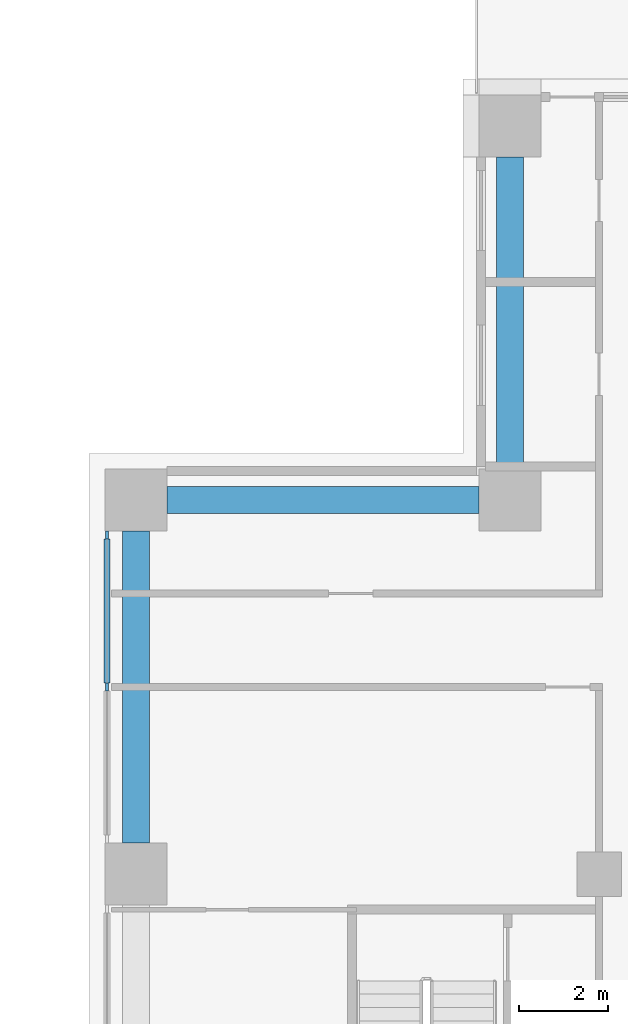
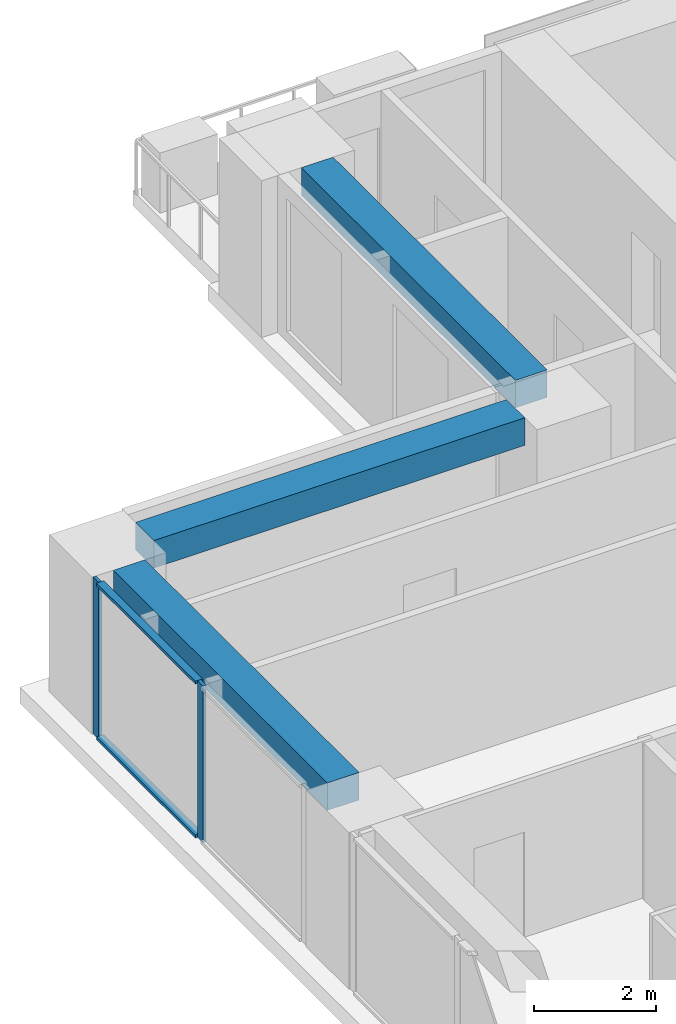
# One storey, part 5 of 17: 4 members, 3 beams, 1 element without a shape of its own.
"""IFC4 building model written with IfcOpenShell, lengths in metres."""

from ifc_helpers import new_model, si_unit, direction, frame, origin, origin_2d, place, context, subcontext, project, spatial, rectangle, extrude, material, material_profile, profile_set, type_object, element, aggregate, save


model = new_model("IFC4")

# Units and contexts
model_context = context("Model", 3, precision=1e-05, world=origin(), true_north=direction((0.0, 1.0)))
body_context = subcontext(model_context, "Body", "Model", "MODEL_VIEW")
ifc_project = project(units=[si_unit("LENGTHUNIT", "METRE"), si_unit("AREAUNIT", "SQUARE_METRE"), si_unit("VOLUMEUNIT", "CUBIC_METRE"), si_unit("PLANEANGLEUNIT", "RADIAN"), si_unit("MASSUNIT", "GRAM", prefix="KILO")], contexts=[model_context])

# Site, building, storey
site_placement = place(None, origin())
site = spatial("IfcSite", under=ifc_project, at=site_placement, CompositionType="ELEMENT")
building_placement = place(site_placement, origin())
building = spatial("IfcBuilding", under=site, at=building_placement, Name="Vermilion Ogive Tower", CompositionType="ELEMENT")
storey_placement = place(building_placement, frame((0.0, 0.0, 65.550048828125)))
storey = spatial("IfcBuildingStorey", under=building, at=storey_placement, Name="L15", CompositionType="ELEMENT", Elevation=65.550048828125)

# Curtain wall, members
ifc_material_1 = material(Name="Low-iron laminated glazing in aluminium frame", Category="aluminium")
curtain_wall_type = type_object("IfcCurtainWallType", Name="Curtain wall CW7", PredefinedType="NOTDEFINED", material=ifc_material_1)
curtain_wall_placement = place(storey_placement, origin())
curtain_wall = element("IfcCurtainWall", 1, at=curtain_wall_placement, inside=storey, type_object=curtain_wall_type, Name="Glazed skin W1", PredefinedType="NOTDEFINED")
ifc_material_2 = material(Name="Aluminium mullion", Category="aluminium")
ifc_material_profile_1 = material_profile(ifc_material_2, rectangle(XDim=0.06005859375, YDim=0.179931640625, at=origin_2d()), Name="AL 60x180")
ifc_profile_set_1 = profile_set([ifc_material_profile_1], Name="Aluminium mullion")
member_type_1 = type_object("IfcMemberType", Name="CW7 mullion 60x180", PredefinedType="MULLION", material=ifc_profile_set_1)
member_1_placement = place(storey_placement, frame((-25.85009765625, 11.81005859375, 0.0), z_axis=(0.0, 0.0, 1.0), x_axis=(1.0, 0.0, 0.0)))
member_1 = element("IfcMember", 2, at=member_1_placement, type_object=member_type_1, Name="CW7-W1 mullion 1", PredefinedType="MULLION", context=body_context, shape_type="SweptSolid", body=[
    extrude(rectangle(XDim=0.06005859375, YDim=0.179931640625, at=origin_2d()), origin(), (0.0, 0.0, 1.0), 3.1298828125),
])
member_2_placement = place(storey_placement, frame((-25.85009765625, 8.39990234375, 0.0), z_axis=(0.0, 0.0, 1.0), x_axis=(1.0, 0.0, 0.0)))
member_2 = element("IfcMember", 3, at=member_2_placement, type_object=member_type_1, Name="CW7-W1 mullion 2", PredefinedType="MULLION", context=body_context, shape_type="SweptSolid", body=[
    extrude(rectangle(XDim=0.06005859375, YDim=0.179931640625, at=origin_2d()), origin(), (0.0, 0.0, 1.0), 3.1298828125),
])
ifc_material_3 = material(Name="Aluminium transom", Category="aluminium")
ifc_material_profile_2 = material_profile(ifc_material_3, rectangle(XDim=0.139892578125, YDim=0.06005859375, at=origin_2d()), Name="AL 60x140")
ifc_profile_set_2 = profile_set([ifc_material_profile_2], Name="Aluminium transom")
member_type_2 = type_object("IfcMemberType", Name="CW7 transom 60x140", PredefinedType="USERDEFINED", material=ifc_profile_set_2)
member_3_placement = place(storey_placement, frame((-25.85009765625, 11.719970703125, 0.030029296875), z_axis=(0.0, -1.0, 0.0), x_axis=(1.0, 0.0, 0.0)))
member_3 = element("IfcMember", 4, at=member_3_placement, type_object=member_type_2, Name="CW7-W1 transom 1.1", ObjectType="TRANSOM", PredefinedType="USERDEFINED", context=body_context, shape_type="SweptSolid", body=[
    extrude(rectangle(XDim=0.139892578125, YDim=0.06005859375, at=origin_2d()), origin(), (0.0, 0.0, 1.0), 3.22998046875),
])
member_4_placement = place(storey_placement, frame((-25.85009765625, 11.719970703125, 3.099853515625), z_axis=(0.0, -1.0, 0.0), x_axis=(1.0, 0.0, 0.0)))
member_4 = element("IfcMember", 5, at=member_4_placement, type_object=member_type_2, Name="CW7-W1 transom 1.2", ObjectType="TRANSOM", PredefinedType="USERDEFINED", context=body_context, shape_type="SweptSolid", body=[
    extrude(rectangle(XDim=0.139892578125, YDim=0.06005859375, at=origin_2d()), origin(), (0.0, 0.0, 1.0), 3.22998046875),
])
aggregate(curtain_wall, [member_1, member_2, member_3, member_4])

# Beams
ifc_material_4 = material(Name="Concrete B45", Category="concrete")
ifc_material_profile_3 = material_profile(ifc_material_4, rectangle(XDim=0.60009765625, YDim=0.550048828125, at=origin_2d()), Name="600 x 550")
ifc_profile_set_3 = profile_set([ifc_material_profile_3], Name="Concrete B45")
beam_type = type_object("IfcBeamType", Name="Edge beam 600 x 550 B45", PredefinedType="BEAM", material=ifc_profile_set_3)
for number, where, z_axis, x_axis, name in (
    (6, (-16.800048828125, 20.300048828125, 2.85498046875), (0.0, -1.0, 0.0), (1.0, 0.0, 0.0), "L15-EB-12"),
    (7, (-17.5, 12.60009765625, 2.85498046875), (-1.0, 0.0, 0.0), (0.0, -1.0, 0.0), "L15-EB-13"),
    (8, (-25.199951171875, 11.89990234375, 2.85498046875), (0.0, -1.0, 0.0), (1.0, 0.0, 0.0), "L15-EB-14"),
):
    element("IfcBeam", number, at=place(storey_placement, frame(where, z_axis=z_axis, x_axis=x_axis)), inside=storey, type_object=beam_type, Name=name, PredefinedType="BEAM", context=body_context, shape_type="SweptSolid", body=[
        extrude(rectangle(XDim=0.60009765625, YDim=0.550048828125, at=origin_2d()), origin(), (0.0, 0.0, 1.0), 7.0),
    ])

save(model, "model.ifc")
